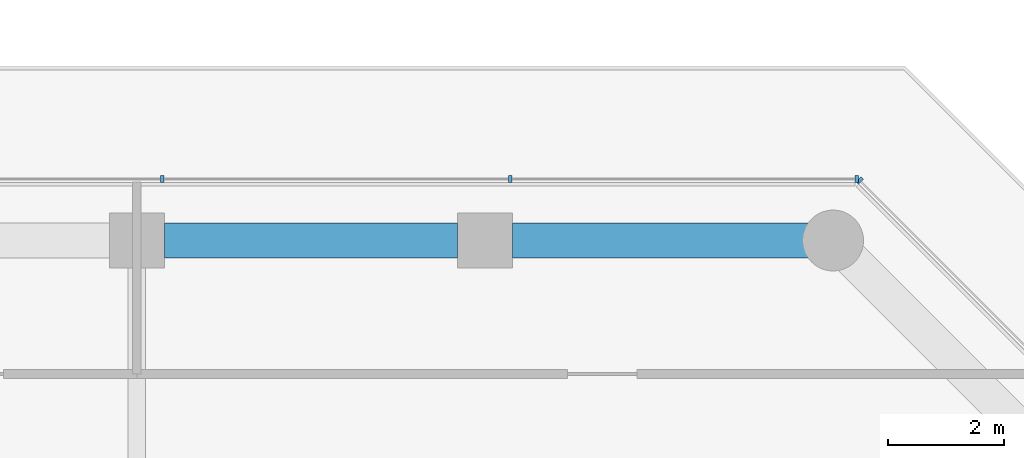
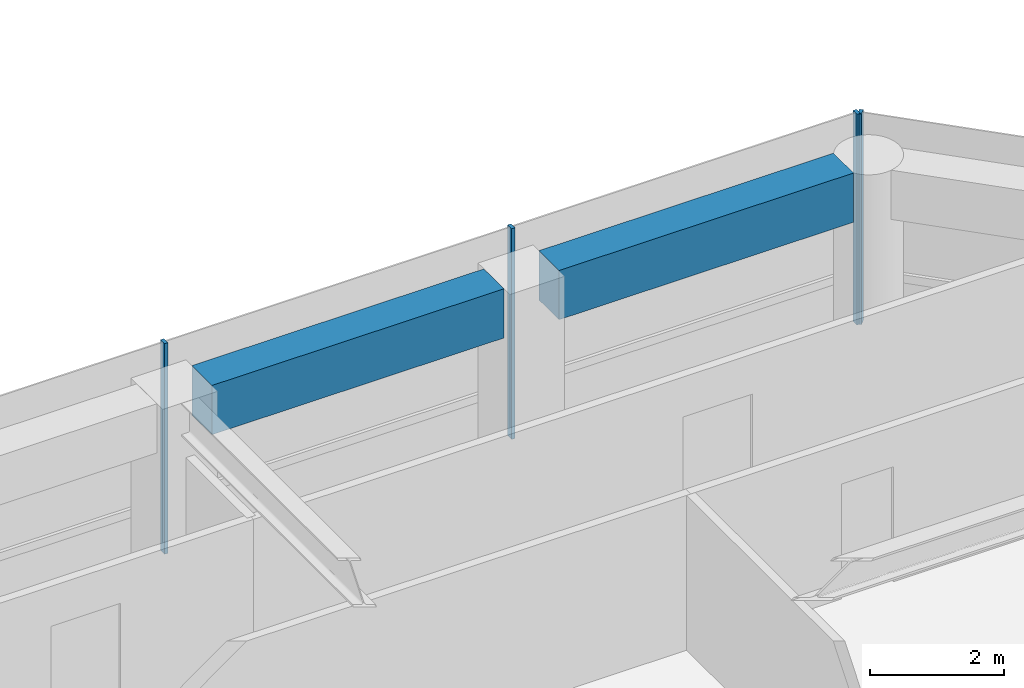
# One storey, part 12 of 28: 4 members, 2 beams, 2 elements without a shape of their own.
"""IFC4 building model written with IfcOpenShell, lengths in metres."""

from ifc_helpers import new_model, si_unit, direction, frame, origin, origin_2d, place, context, subcontext, project, spatial, rectangle, extrude, material, layer, layer_set, material_profile, profile_set, type_object, element, aggregate, save


model = new_model("IFC4")

# Units and contexts
model_context = context("Model", 3, precision=1e-05, world=origin(), true_north=direction((0.0, 1.0)))
body_context = subcontext(model_context, "Body", "Model", "MODEL_VIEW")
ifc_project = project(units=[si_unit("LENGTHUNIT", "METRE"), si_unit("AREAUNIT", "SQUARE_METRE"), si_unit("VOLUMEUNIT", "CUBIC_METRE"), si_unit("PLANEANGLEUNIT", "RADIAN"), si_unit("MASSUNIT", "GRAM", prefix="KILO")], contexts=[model_context])

# Site, building, storey
site_placement = place(None, origin())
site = spatial("IfcSite", under=ifc_project, at=site_placement, CompositionType="ELEMENT")
building_placement = place(site_placement, origin())
building = spatial("IfcBuilding", under=site, at=building_placement, Name="Welwitschia Terrace Campus", CompositionType="ELEMENT")
storey_placement = place(building_placement, frame((0.0, 0.0, 45.800048828125)))
storey = spatial("IfcBuildingStorey", under=building, at=storey_placement, Name="L10", CompositionType="ELEMENT", Elevation=45.800048828125)

# Curtain wall, member
ifc_material_1 = material(Name="Bronze anodised aluminium", Category="aluminium")
ifc_layer = layer(ifc_material_1, 0.1201171875)
ifc_layer_set = layer_set([ifc_layer], Name="Bronze anodised aluminium")
curtain_wall_type = type_object("IfcCurtainWallType", Name="Curtain wall CW2 tower 6000", PredefinedType="NOTDEFINED", material=ifc_layer_set)
curtain_wall_1_placement = place(storey_placement, origin())
curtain_wall_1 = element("IfcCurtainWall", 1, at=curtain_wall_1_placement, inside=storey, type_object=curtain_wall_type, Name="CW L10.5.0", PredefinedType="NOTDEFINED")
ifc_material_2 = material(Name="Bronze anodised aluminium", Category="aluminium")
ifc_material_profile_1 = material_profile(ifc_material_2, rectangle(XDim=0.1201171875, YDim=0.06005859375, at=origin_2d()))
ifc_profile_set_1 = profile_set([ifc_material_profile_1], Name="Bronze anodised aluminium")
member_type = type_object("IfcMemberType", Name="Mullion 60x120", PredefinedType="MULLION", material=ifc_profile_set_1)
member_1_placement = place(storey_placement, frame((60.45947265625, 21.036865234375, 0.0), z_axis=(0.0, 0.0, 1.0), x_axis=(-0.707106781187, -0.707106781187, 0.0)))
member_1 = element("IfcMember", 2, at=member_1_placement, type_object=member_type, Name="Mullion L10.5.0.2", PredefinedType="MULLION", context=body_context, shape_type="SweptSolid", body=[
    extrude(rectangle(XDim=0.1201171875, YDim=0.06005859375, at=origin_2d()), origin(), (0.0, 0.0, 1.0), 3.849853515625),
])
aggregate(curtain_wall_1, [member_1])

# Curtain wall, members
curtain_wall_2_placement = place(storey_placement, origin())
curtain_wall_2 = element("IfcCurtainWall", 3, at=curtain_wall_2_placement, inside=storey, type_object=curtain_wall_type, Name="CW L10.6.0", PredefinedType="NOTDEFINED")
member_2_placement = place(storey_placement, frame((60.408203125, 21.05810546875, 0.0), z_axis=(0.0, 0.0, 1.0), x_axis=(0.0, -1.0, 0.0)))
member_2 = element("IfcMember", 4, at=member_2_placement, type_object=member_type, Name="Mullion L10.6.0.0", PredefinedType="MULLION", context=body_context, shape_type="SweptSolid", body=[
    extrude(rectangle(XDim=0.1201171875, YDim=0.06005859375, at=origin_2d()), origin(), (0.0, 0.0, 1.0), 3.849853515625),
])
member_3_placement = place(storey_placement, frame((54.438232421875, 21.05810546875, 0.0), z_axis=(0.0, 0.0, 1.0), x_axis=(0.0, -1.0, 0.0)))
member_3 = element("IfcMember", 5, at=member_3_placement, type_object=member_type, Name="Mullion L10.6.0.1", PredefinedType="MULLION", context=body_context, shape_type="SweptSolid", body=[
    extrude(rectangle(XDim=0.1201171875, YDim=0.06005859375, at=origin_2d()), origin(), (0.0, 0.0, 1.0), 3.849853515625),
])
member_4_placement = place(storey_placement, frame((48.438232421875, 21.05810546875, 0.0), z_axis=(0.0, 0.0, 1.0), x_axis=(0.0, -1.0, 0.0)))
member_4 = element("IfcMember", 6, at=member_4_placement, type_object=member_type, Name="Mullion L10.6.0.2", PredefinedType="MULLION", context=body_context, shape_type="SweptSolid", body=[
    extrude(rectangle(XDim=0.1201171875, YDim=0.06005859375, at=origin_2d()), origin(), (0.0, 0.0, 1.0), 3.849853515625),
])
aggregate(curtain_wall_2, [member_2, member_3, member_4])

# Beams
ifc_material_3 = material(Name="Concrete C60/75", Category="concrete")
ifc_material_profile_2 = material_profile(ifc_material_3, rectangle(XDim=0.60009765625, YDim=0.89990234375, at=origin_2d()))
ifc_profile_set_2 = profile_set([ifc_material_profile_2], Name="Concrete C60/75")
beam_type = type_object("IfcBeamType", Name="Ring spandrel 600x900", PredefinedType="SPANDREL", material=ifc_profile_set_2)
beam_1_placement = place(storey_placement, frame((59.568603515625, 20.0, 3.39990234375), z_axis=(-1.0, 0.0, 0.0), x_axis=(0.0, -1.0, 0.0)))
element("IfcBeam", 7, at=beam_1_placement, inside=storey, type_object=beam_type, Name="Spandrel SP2", PredefinedType="SPANDREL", context=body_context, shape_type="SweptSolid", body=[
    extrude(rectangle(XDim=0.60009765625, YDim=0.89990234375, at=origin_2d()), origin(), (0.0, 0.0, 1.0), 5.093017578125),
])
beam_2_placement = place(storey_placement, frame((53.5244140625, 20.0, 3.39990234375), z_axis=(-1.0, 0.0, 0.0), x_axis=(0.0, -1.0, 0.0)))
element("IfcBeam", 8, at=beam_2_placement, inside=storey, type_object=beam_type, Name="Spandrel SP2", PredefinedType="SPANDREL", context=body_context, shape_type="SweptSolid", body=[
    extrude(rectangle(XDim=0.60009765625, YDim=0.89990234375, at=origin_2d()), origin(), (0.0, 0.0, 1.0), 5.048828125),
])

save(model, "model.ifc")
